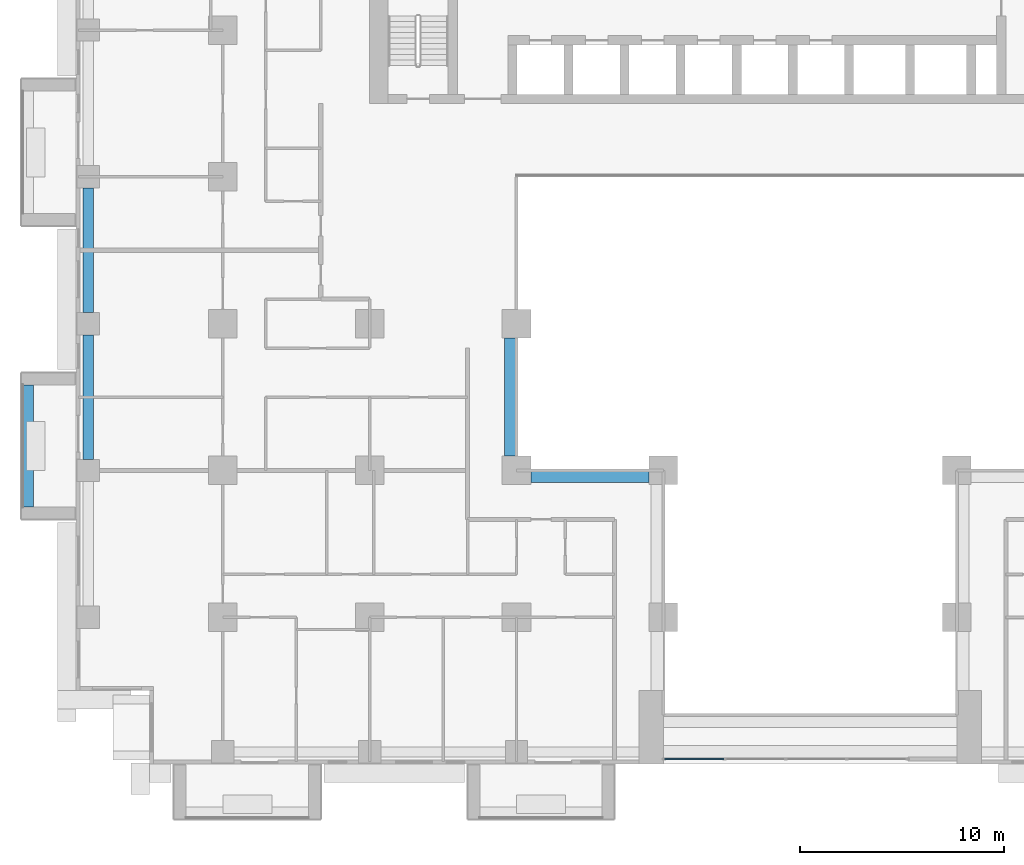
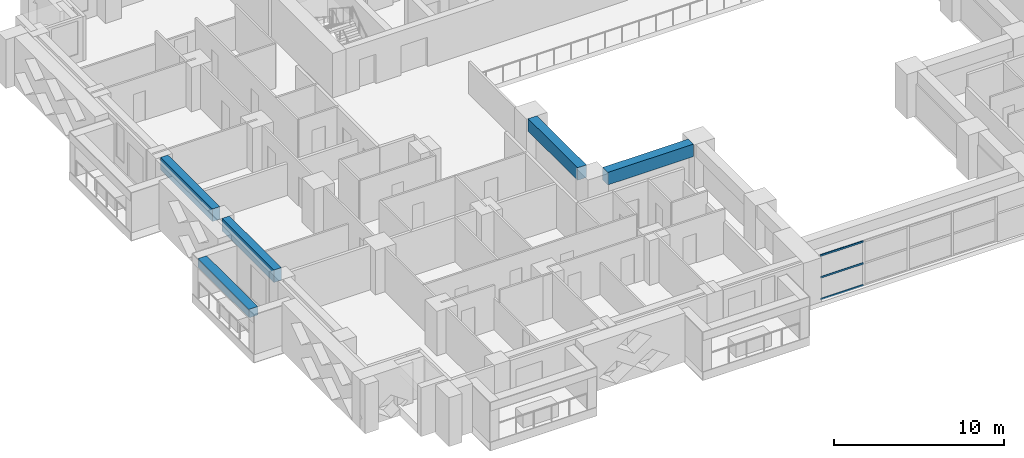
# One storey, part 3 of 17: 5 beams, 3 members, 1 element without a shape of its own.
"""IFC4 building model written with IfcOpenShell, lengths in metres."""

import ifcopenshell
import ifcopenshell.guid

model = None  # the IFC model being written
_history = None  # IfcOwnerHistory: only IFC2X3 demands one
_inside = {}  # id of a spatial element -> (the spatial element, [elements in it])
_under = {}  # id of a project, library or spatial element -> (it, [spatial elements below it])
_declared = {}  # id of a project -> (the project, [libraries it declares])
_typed = {}  # id of a type object -> (the type object, [elements of that type])
_made_of = {}  # id of a material, layer set ... -> (it, [elements and type objects made of it])


def new_model(schema):
    """Start an empty IFC model of exactly this schema.

    Asked for "IFC4X3", IfcOpenShell would pick the latest addendum, in which some entities
    have other attributes; the version numbers below select the first issue.
    IFC2X3 requires an IfcOwnerHistory on every rooted entity: one is made here for all.
    """
    global model, _history
    if schema == "IFC4X3":
        model = ifcopenshell.file(schema_version=(4, 3, 0, 0))
    else:
        model = ifcopenshell.file(schema=schema)
    _inside.clear()
    _under.clear()
    _declared.clear()
    _typed.clear()
    _made_of.clear()
    _history = None
    if model.schema == "IFC2X3":
        org = make("IfcOrganization", Name="unknown")
        user = make(
            "IfcPersonAndOrganization",
            ThePerson=make("IfcPerson", FamilyName="unknown"),
            TheOrganization=org,
        )
        app = make(
            "IfcApplication",
            ApplicationDeveloper=org,
            Version="unknown",
            ApplicationFullName="unknown",
            ApplicationIdentifier="unknown",
        )
        _history = make(
            "IfcOwnerHistory",
            OwningUser=user,
            OwningApplication=app,
            ChangeAction="ADDED",
            CreationDate=0,
        )
    return model


def make(cls, **values):
    """One entity of the class cls with the attributes given. An attribute that is None is left unset."""
    return model.create_entity(
        cls, **{name: value for name, value in values.items() if value is not None}
    )


def rooted(cls, **values):
    """An entity with a GlobalId (a new one), such as an element, a storey or a relation."""
    return make(cls, GlobalId=ifcopenshell.guid.new(), OwnerHistory=_history, **values)


def si_unit(unit_type, name, prefix=None):
    """IfcSIUnit, for example si_unit("LENGTHUNIT", "METRE", prefix="MILLI")."""
    return make("IfcSIUnit", UnitType=unit_type, Prefix=prefix, Name=name)


def assignment(units):
    """IfcUnitAssignment: the units of a project."""
    return None if units is None else make("IfcUnitAssignment", Units=units)


def point(xyz):
    """IfcCartesianPoint."""
    return None if xyz is None else make("IfcCartesianPoint", Coordinates=xyz)


def direction(xyz):
    """IfcDirection."""
    return None if xyz is None else make("IfcDirection", DirectionRatios=xyz)


def frame(location, z_axis=None, x_axis=None):
    """IfcAxis2Placement3D, a coordinate frame: its origin and axes. An axis left out is left unset."""
    return make(
        "IfcAxis2Placement3D",
        Location=point(location),
        Axis=direction(z_axis),
        RefDirection=direction(x_axis),
    )


def frame_2d(location, x_axis=None):
    """IfcAxis2Placement2D, a coordinate frame in the plane: its origin and x axis."""
    return make(
        "IfcAxis2Placement2D", Location=point(location), RefDirection=direction(x_axis)
    )


def origin():
    """The frame at (0, 0, 0) with its axes left unset."""
    return frame((0.0, 0.0, 0.0))


def origin_2d():
    """The frame at (0, 0) in the plane with its x axis left unset."""
    return frame_2d((0.0, 0.0))


def place(relative_to, where):
    """IfcLocalPlacement: puts the frame where relative to a parent placement (None: the world)."""
    return make(
        "IfcLocalPlacement", PlacementRelTo=relative_to, RelativePlacement=where
    )


def context(
    kind, dimensions, precision=None, world=None, true_north=None, identifier=None
):
    """IfcGeometricRepresentationContext, for example the 3D "Model" context."""
    return make(
        "IfcGeometricRepresentationContext",
        ContextIdentifier=identifier,
        ContextType=kind,
        CoordinateSpaceDimension=dimensions,
        Precision=precision,
        WorldCoordinateSystem=world,
        TrueNorth=true_north,
    )


def subcontext(parent, identifier, kind, view, scale=None):
    """IfcGeometricRepresentationSubContext, for example "Body" below "Model"."""
    return make(
        "IfcGeometricRepresentationSubContext",
        ContextIdentifier=identifier,
        ContextType=kind,
        ParentContext=parent,
        TargetScale=scale,
        TargetView=view,
    )


def project(units=None, contexts=None):
    """IfcProject with its units and contexts."""
    return rooted(
        "IfcProject",
        Name="project",
        RepresentationContexts=contexts,
        UnitsInContext=assignment(units),
    )


def spatial(cls, under=None, at=None, **own):
    """A site, building, storey or space (cls), placed at a placement, below another one or the project."""
    s = rooted(cls, ObjectPlacement=at, **own)
    if under is not None:
        _under.setdefault(under.id(), (under, []))[1].append(s)
    return s


def profile(cls, at=None, kind="AREA", **sizes):
    """A parametric profile (cls). Its sizes go by their IFC names, for example OverallWidth=200.0."""
    return make(cls, ProfileType=kind, Position=at, **sizes)


def rectangle(**sizes):
    """IfcRectangleProfileDef."""
    return profile("IfcRectangleProfileDef", **sizes)


def extrude(swept, where, along, depth):
    """IfcExtrudedAreaSolid: the profile swept, set in the frame where, extruded along a direction by depth."""
    return make(
        "IfcExtrudedAreaSolid",
        SweptArea=swept,
        Position=where,
        ExtrudedDirection=direction(along),
        Depth=depth,
    )


def shape(context_of_items, identifier, shape_type, items):
    """IfcShapeRepresentation: the items that make up one representation, for example the "Body"."""
    return make(
        "IfcShapeRepresentation",
        ContextOfItems=context_of_items,
        RepresentationIdentifier=identifier,
        RepresentationType=shape_type,
        Items=items,
    )


def source(mapping_origin, context_of_items, identifier, shape_type, items):
    """IfcRepresentationMap: a shape defined once, which mapped items show again and again."""
    return make(
        "IfcRepresentationMap",
        MappingOrigin=mapping_origin,
        MappedRepresentation=shape(context_of_items, identifier, shape_type, items),
    )


def transform(
    local_origin,
    x_axis=None,
    y_axis=None,
    z_axis=None,
    scale=None,
    scale2=None,
    scale3=None,
    uniform=True,
):
    """IfcCartesianTransformationOperator3D, or its non-uniform kind. x_axis, y_axis, z_axis: its Axis1, 2, 3."""
    if uniform:
        return make(
            "IfcCartesianTransformationOperator3D",
            Axis1=direction(x_axis),
            Axis2=direction(y_axis),
            LocalOrigin=point(local_origin),
            Scale=scale,
            Axis3=direction(z_axis),
        )
    return make(
        "IfcCartesianTransformationOperator3DnonUniform",
        Axis1=direction(x_axis),
        Axis2=direction(y_axis),
        LocalOrigin=point(local_origin),
        Scale=scale,
        Axis3=direction(z_axis),
        Scale2=scale2,
        Scale3=scale3,
    )


def mapped(mapping_source, mapping_target):
    """IfcMappedItem: shows the shape of a source again, moved by a transform."""
    return make(
        "IfcMappedItem", MappingSource=mapping_source, MappingTarget=mapping_target
    )


def material(Name=None, Category=None):
    """IfcMaterial."""
    return make("IfcMaterial", Name=Name, Category=Category)


def layer(
    of_material, thickness, ventilated=None, Name=None, Category=None, Priority=None
):
    """IfcMaterialLayer: one layer of a wall or slab, of a material (None: an air gap)."""
    return make(
        "IfcMaterialLayer",
        Material=of_material,
        LayerThickness=thickness,
        IsVentilated=ventilated,
        Name=Name,
        Category=Category,
        Priority=Priority,
    )


def layer_set(layers, Name=None):
    """IfcMaterialLayerSet."""
    return make("IfcMaterialLayerSet", MaterialLayers=layers, LayerSetName=Name)


def material_profile(
    of_material, cross_section, Name=None, Category=None, Priority=None
):
    """IfcMaterialProfile: a cross section and its material."""
    return make(
        "IfcMaterialProfile",
        Name=Name,
        Material=of_material,
        Profile=cross_section,
        Priority=Priority,
        Category=Category,
    )


def profile_set(profiles, Name=None, composite=None):
    """IfcMaterialProfileSet."""
    return make(
        "IfcMaterialProfileSet",
        Name=Name,
        MaterialProfiles=profiles,
        CompositeProfile=composite,
    )


def made_of(thing, what):
    """Note that an element or type object is made of a material, layer set ...; save() writes the relation."""
    if what is not None:
        _made_of.setdefault(what.id(), (what, []))[1].append(thing)
    return thing


def type_object(cls, material=None, **own):
    """A type object (cls), such as IfcWallType, which elements share."""
    return made_of(rooted(cls, **own), material)


def element(
    cls,
    number,
    at=None,
    inside=None,
    cuts=None,
    type_object=None,
    material=None,
    context=None,
    identifier="Body",
    shape_type=None,
    held_by="IfcProductDefinitionShape",
    body=None,
    shapes=None,
    **own,
):
    """One element of the class cls, such as IfcWall. Its Tag is "e" and its number.

    at: its placement. inside: the storey or other place that contains it. cuts: it is an
    opening in that element (IfcRelVoidsElement). A single representation is given by context,
    identifier, shape_type and body (its items); several are given by shapes. held_by: the class
    of the entity that holds the representations. save() writes the other relations.
    """
    e = rooted(cls, Tag="e%d" % number, ObjectPlacement=at, **own)
    if body is not None:
        shapes = [shape(context, identifier, shape_type, body)]
    if shapes is not None:
        e.Representation = make(held_by, Representations=shapes)
    if inside is not None:
        _inside.setdefault(inside.id(), (inside, []))[1].append(e)
    if cuts is not None:
        rooted(
            "IfcRelVoidsElement", RelatingBuildingElement=cuts, RelatedOpeningElement=e
        )
    if type_object is not None:
        _typed.setdefault(type_object.id(), (type_object, []))[1].append(e)
    return made_of(e, material)


def aggregate(whole, parts):
    """IfcRelAggregates: a whole, such as a stair, and the parts it consists of."""
    return rooted("IfcRelAggregates", RelatingObject=whole, RelatedObjects=parts)


def save(model, path):
    """Write the relations noted so far, then the file.

    IfcRelAggregates (storeys below a building ...), IfcRelContainedInSpatialStructure (elements
    in a storey), IfcRelDefinesByType, IfcRelAssociatesMaterial and IfcRelDeclares: one each for
    every whole, place, type object, material and project.
    """
    for whole, parts in _under.values():
        aggregate(whole, parts)
    for where, things in _inside.values():
        rooted(
            "IfcRelContainedInSpatialStructure",
            RelatedElements=things,
            RelatingStructure=where,
        )
    for kind, things in _typed.values():
        rooted("IfcRelDefinesByType", RelatedObjects=things, RelatingType=kind)
    for what, things in _made_of.values():
        rooted("IfcRelAssociatesMaterial", RelatedObjects=things, RelatingMaterial=what)
    for by, libraries in _declared.values():
        rooted("IfcRelDeclares", RelatingContext=by, RelatedDefinitions=libraries)
    model.write(path)


model = new_model("IFC4")

# Units and contexts
model_context = context("Model", 3, precision=1e-05, world=origin(), true_north=direction((0.0, 1.0)))
body_context = subcontext(model_context, "Body", "Model", "MODEL_VIEW")
ifc_project = project(units=[si_unit("LENGTHUNIT", "METRE"), si_unit("AREAUNIT", "SQUARE_METRE"), si_unit("VOLUMEUNIT", "CUBIC_METRE"), si_unit("PLANEANGLEUNIT", "RADIAN"), si_unit("MASSUNIT", "GRAM", prefix="KILO")], contexts=[model_context])

# Site, building, storey
site_placement = place(None, origin())
site = spatial("IfcSite", under=ifc_project, at=site_placement, CompositionType="ELEMENT")
building_placement = place(site_placement, origin())
building = spatial("IfcBuilding", under=site, at=building_placement, Name="Saffron Iwan Residences", CompositionType="ELEMENT")
storey_placement = place(building_placement, frame((0.0, 0.0, 41.0)))
storey = spatial("IfcBuildingStorey", under=building, at=storey_placement, Name="L09", CompositionType="ELEMENT", Elevation=41.0)

# Beams
ifc_material_1 = material(Name="Concrete C60/75", Category="concrete")
ifc_material_profile_1 = material_profile(ifc_material_1, rectangle(XDim=0.5, YDim=0.89990234375, at=origin_2d()), Name="RC 500x900")
ifc_profile_set_1 = profile_set([ifc_material_profile_1], Name="Concrete C60/75")
beam_type_1 = type_object("IfcBeamType", Name="SPANDREL BEAM RC 500x900 C60/75 TOP 3180", PredefinedType="SPANDREL", material=ifc_profile_set_1)
shared_shape_1 = source(origin(), body_context, "Body", "SweptSolid", [
    extrude(rectangle(XDim=0.5, YDim=0.89990234375, at=origin_2d()), origin(), (0.0, 0.0, 1.0), 6.10009765625),
])
beam_1_placement = place(storey_placement, frame((15.0, 55.75, 2.72998046875), z_axis=(0.0, 1.0, 0.0), x_axis=(-1.0, 0.0, 0.0)))
element("IfcBeam", 1, at=beam_1_placement, inside=storey, type_object=beam_type_1, Name="Spandrel beam", PredefinedType="SPANDREL", context=body_context, shape_type="MappedRepresentation", body=[
    mapped(shared_shape_1, transform((0.0, 0.0, 0.0))),
])
shared_shape_2 = source(origin(), body_context, "Body", "SweptSolid", [
    extrude(rectangle(XDim=0.5, YDim=0.89990234375, at=origin_2d()), origin(), (0.0, 0.0, 1.0), 6.099853515625),
])
beam_2_placement = place(storey_placement, frame((15.0, 48.550048828125, 2.72998046875), z_axis=(0.0, 1.0, 0.0), x_axis=(-1.0, 0.0, 0.0)))
element("IfcBeam", 2, at=beam_2_placement, inside=storey, type_object=beam_type_1, Name="Spandrel beam", PredefinedType="SPANDREL", context=body_context, shape_type="MappedRepresentation", body=[
    mapped(shared_shape_2, transform((0.0, 0.0, 0.0))),
])
ifc_material_profile_2 = material_profile(ifc_material_1, rectangle(XDim=0.60009765625, YDim=0.89990234375, at=origin_2d()), Name="RC 600x900")
ifc_profile_set_2 = profile_set([ifc_material_profile_2], Name="Concrete C60/75")
beam_type_2 = type_object("IfcBeamType", Name="BEAM RC 600x900 C60/75 TOP 3180", PredefinedType="BEAM", material=ifc_profile_set_2)
shared_shape_3 = source(origin(), body_context, "Body", "SweptSolid", [
    extrude(rectangle(XDim=0.60009765625, YDim=0.89990234375, at=origin_2d()), origin(), (0.0, 0.0, 1.0), 5.800048828125),
])
for number, where, z_axis, x_axis, name in (
    (3, (42.5, 47.699951171875, 2.72998046875), (-1.0, 0.0, 0.0), (0.0, -1.0, 0.0), "Atrium edge beam"),
    (4, (35.699951171875, 48.699951171875, 2.72998046875), (0.0, 1.0, 0.0), (-1.0, 0.0, 0.0), "Atrium edge beam"),
):
    element("IfcBeam", number, at=place(storey_placement, frame(where, z_axis=z_axis, x_axis=x_axis)), inside=storey, type_object=beam_type_2, Name=name, PredefinedType="BEAM", context=body_context, shape_type="MappedRepresentation", body=[
        mapped(shared_shape_3, transform((0.0, 0.0, 0.0))),
    ])

# Curtain wall, members
ifc_material_2 = material(Name="Clear glass, laminated double glazed", Category="glass")
ifc_layer = layer(ifc_material_2, 0.199951171875)
ifc_layer_set = layer_set([ifc_layer], Name="Clear glass, laminated double glazed")
curtain_wall_type = type_object("IfcCurtainWallType", Name="CW-B IWAN PORTAL", PredefinedType="NOTDEFINED", material=ifc_layer_set)
curtain_wall_placement = place(storey_placement, origin())
curtain_wall = element("IfcCurtainWall", 5, at=curtain_wall_placement, inside=storey, type_object=curtain_wall_type, Name="Iwan portal glazing L09.1", PredefinedType="NOTDEFINED")
ifc_material_3 = material(Name="Aluminium 6063-T6", Category="aluminium")
ifc_material_profile_3 = material_profile(ifc_material_3, rectangle(XDim=0.06005859375, YDim=0.1201171875, at=origin_2d()), Name="CW-B TRANSOM 60 x 120")
ifc_profile_set_3 = profile_set([ifc_material_profile_3], Name="Aluminium 6063-T6")
member_type = type_object("IfcMemberType", Name="CW-B TRANSOM 60 x 120", PredefinedType="USERDEFINED", material=ifc_profile_set_3)
shared_shape_4 = source(origin(), body_context, "Body", "SweptSolid", [
    extrude(rectangle(XDim=0.06005859375, YDim=0.1201171875, at=origin_2d()), origin(), (0.0, 0.0, 1.0), 2.909912109375),
])
member_1_placement = place(storey_placement, frame((43.260009765625, 33.85009765625, 0.030029296875), z_axis=(1.0, 0.0, 0.0), x_axis=(0.0, 1.0, 0.0)))
member_1 = element("IfcMember", 6, at=member_1_placement, type_object=member_type, Name="CW-B transom 1.1", ObjectType="TRANSOM", PredefinedType="USERDEFINED", context=body_context, shape_type="MappedRepresentation", body=[
    mapped(shared_shape_4, transform((0.0, 0.0, 0.0))),
])
member_2_placement = place(storey_placement, frame((43.260009765625, 33.85009765625, 1.590087890625), z_axis=(1.0, 0.0, 0.0), x_axis=(0.0, 1.0, 0.0)))
member_2 = element("IfcMember", 7, at=member_2_placement, type_object=member_type, Name="CW-B transom 1.2", ObjectType="TRANSOM", PredefinedType="USERDEFINED", context=body_context, shape_type="MappedRepresentation", body=[
    mapped(shared_shape_4, transform((0.0, 0.0, 0.0))),
])
member_3_placement = place(storey_placement, frame((43.260009765625, 33.85009765625, 3.14990234375), z_axis=(1.0, 0.0, 0.0), x_axis=(0.0, 1.0, 0.0)))
member_3 = element("IfcMember", 8, at=member_3_placement, type_object=member_type, Name="CW-B transom 1.3", ObjectType="TRANSOM", PredefinedType="USERDEFINED", context=body_context, shape_type="MappedRepresentation", body=[
    mapped(shared_shape_4, transform((0.0, 0.0, 0.0))),
])
aggregate(curtain_wall, [member_1, member_2, member_3])

# Beam
ifc_material_4 = material(Name="Concrete C50/60 white painted", Category="concrete")
ifc_material_profile_4 = material_profile(ifc_material_4, rectangle(XDim=0.60009765625, YDim=0.60009765625, at=origin_2d()), Name="BALCONY FASCIA BEAM 600 x 600")
ifc_profile_set_4 = profile_set([ifc_material_profile_4], Name="Concrete C50/60 white painted")
beam_type_3 = type_object("IfcBeamType", Name="BALCONY FASCIA BEAM 600 x 600", PredefinedType="BEAM", material=ifc_profile_set_4)
shared_shape_5 = source(origin(), body_context, "Body", "SweptSolid", [
    extrude(rectangle(XDim=0.60009765625, YDim=0.60009765625, at=origin_2d()), origin(), (0.0, 0.0, 1.0), 6.0),
])
beam_3_placement = place(storey_placement, frame((12.0, 52.199951171875, 2.550048828125), z_axis=(0.0, -1.0, 0.0), x_axis=(1.0, 0.0, 0.0)))
element("IfcBeam", 9, at=beam_3_placement, inside=storey, type_object=beam_type_3, Name="Balcony fascia beam L09 F8-1", PredefinedType="BEAM", context=body_context, shape_type="MappedRepresentation", body=[
    mapped(shared_shape_5, transform((0.0, 0.0, 0.0))),
])

save(model, "model.ifc")
